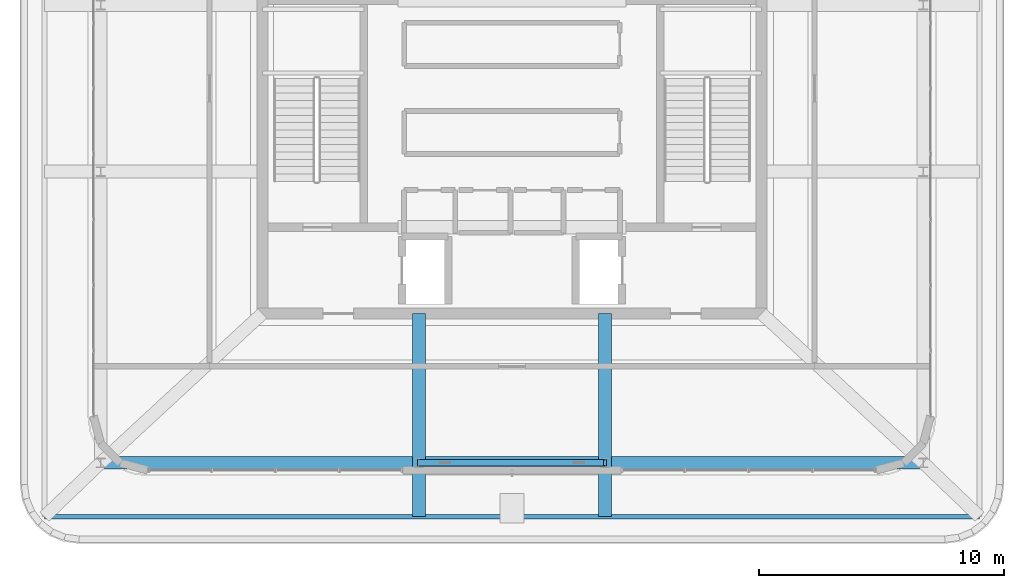
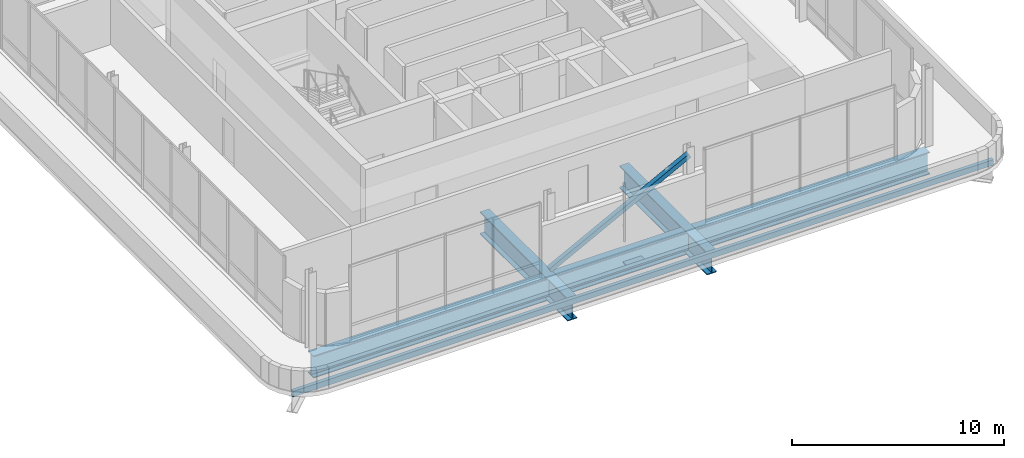
# One storey, part 4 of 28: 4 beams, 1 member.
"""IFC4 building model written with IfcOpenShell, lengths in metres."""

from ifc_helpers import new_model, si_unit, direction, frame, origin, origin_2d, place, context, subcontext, project, spatial, hollow_rectangle, i_section, extrude, material, material_profile, profile_set, type_object, element, save


model = new_model("IFC4")

# Units and contexts
model_context = context("Model", 3, precision=1e-05, world=origin(), true_north=direction((0.0, 1.0)))
body_context = subcontext(model_context, "Body", "Model", "MODEL_VIEW")
ifc_project = project(units=[si_unit("LENGTHUNIT", "METRE"), si_unit("AREAUNIT", "SQUARE_METRE"), si_unit("VOLUMEUNIT", "CUBIC_METRE"), si_unit("PLANEANGLEUNIT", "RADIAN"), si_unit("MASSUNIT", "GRAM", prefix="KILO")], contexts=[model_context])

# Site, building, storey
site_placement = place(None, origin())
site = spatial("IfcSite", under=ifc_project, at=site_placement, CompositionType="ELEMENT")
building_placement = place(site_placement, origin())
building = spatial("IfcBuilding", under=site, at=building_placement, Name="Punatoya Terracotta Tower", CompositionType="ELEMENT")
storey_placement = place(building_placement, frame((0.0, 0.0, 352.800048828125)))
storey = spatial("IfcBuildingStorey", under=building, at=storey_placement, Name="L83", CompositionType="ELEMENT", Elevation=352.800048828125)

# Beams
ifc_material_1 = material(Name="Steel S355", Category="steel")
ifc_material_profile_1 = material_profile(ifc_material_1, hollow_rectangle(XDim=0.199951171875, YDim=0.320068359375, WallThickness=0.01611328125, at=origin_2d()))
ifc_profile_set_1 = profile_set([ifc_material_profile_1], Name="Steel S355")
beam_type_1 = type_object("IfcBeamType", Name="BM-CRN-320", PredefinedType="BEAM", material=ifc_profile_set_1)
beam_1_placement = place(storey_placement, frame((-19.10009765625, -17.5, -0.43994140625), z_axis=(1.0, 0.0, 0.0), x_axis=(0.0, 1.0, 0.0)))
element("IfcBeam", 1, at=beam_1_placement, inside=storey, type_object=beam_type_1, Name="BM-L83-OS", PredefinedType="BEAM", context=body_context, shape_type="SweptSolid", body=[
    extrude(hollow_rectangle(XDim=0.199951171875, YDim=0.320068359375, WallThickness=0.01611328125, at=origin_2d()), origin(), (0.0, 0.0, 1.0), 38.2001953125),
])
ifc_material_2 = material(Name="Steel S460", Category="steel")
ifc_material_profile_2 = material_profile(ifc_material_2, i_section(OverallWidth=0.52001953125, OverallDepth=1.280029296875, WebThickness=0.031982421875, FlangeThickness=0.050048828125, FilletRadius=0.01806640625, at=origin_2d()))
ifc_profile_set_2 = profile_set([ifc_material_profile_2], Name="Steel S460")
beam_type_2 = type_object("IfcBeamType", Name="BM-TG-NCK", PredefinedType="BEAM", material=ifc_profile_set_2)
for number, where, z_axis, x_axis, name in (
    (2, (-3.800048828125, -17.5, -0.920166015625), (0.0, 1.0, 0.0), (-1.0, 0.0, 0.0), "BM-L83-CS1"),
    (3, (3.800048828125, -17.5, -0.920166015625), (0.0, 1.0, 0.0), (-1.0, 0.0, 0.0), "BM-L83-CS2"),
):
    element("IfcBeam", number, at=place(storey_placement, frame(where, z_axis=z_axis, x_axis=x_axis)), inside=storey, type_object=beam_type_2, Name=name, PredefinedType="BEAM", context=body_context, shape_type="SweptSolid", body=[
        extrude(i_section(OverallWidth=0.52001953125, OverallDepth=1.280029296875, WebThickness=0.031982421875, FlangeThickness=0.050048828125, FilletRadius=0.01806640625, at=origin_2d()), origin(), (0.0, 0.0, 1.0), 8.300048828125),
    ])
beam_2_placement = place(storey_placement, frame((-16.800048828125, -15.300048828125, -0.920166015625), z_axis=(1.0, 0.0, 0.0), x_axis=(0.0, 1.0, 0.0)))
element("IfcBeam", 4, at=beam_2_placement, inside=storey, type_object=beam_type_2, Name="BM-L83-RS", PredefinedType="BEAM", context=body_context, shape_type="SweptSolid", body=[
    extrude(i_section(OverallWidth=0.52001953125, OverallDepth=1.280029296875, WebThickness=0.031982421875, FlangeThickness=0.050048828125, FilletRadius=0.01806640625, at=origin_2d()), origin(), (0.0, 0.0, 1.0), 33.60009765625),
])

# Member
ifc_material_profile_3 = material_profile(ifc_material_1, hollow_rectangle(XDim=0.260009765625, YDim=0.260009765625, WallThickness=0.013916015625, at=origin_2d()))
ifc_profile_set_3 = profile_set([ifc_material_profile_3], Name="Steel S355")
member_type = type_object("IfcMemberType", Name="MEM-CRN-260", PredefinedType="BRACE", material=ifc_profile_set_3)
member_placement = place(storey_placement, frame((-3.800048828125, -15.300048828125, 0.02001953125), z_axis=(0.886838693797, 0.0, 0.462079139524), x_axis=(0.0, 1.0, 0.0)))
element("IfcMember", 5, at=member_placement, inside=storey, type_object=member_type, Name="L83 Crown Frame Wind Brace S", PredefinedType="BRACE", context=body_context, shape_type="SweptSolid", body=[
    extrude(hollow_rectangle(XDim=0.260009765625, YDim=0.260009765625, WallThickness=0.013916015625, at=origin_2d()), origin(), (0.0, 0.0, 1.0), 8.56982421875),
])

save(model, "model.ifc")
